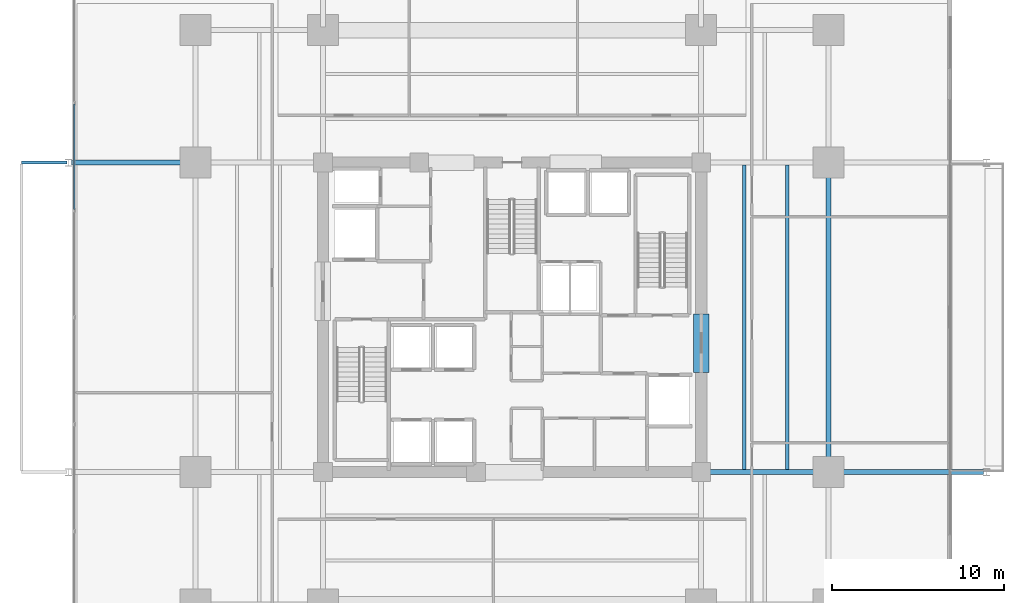
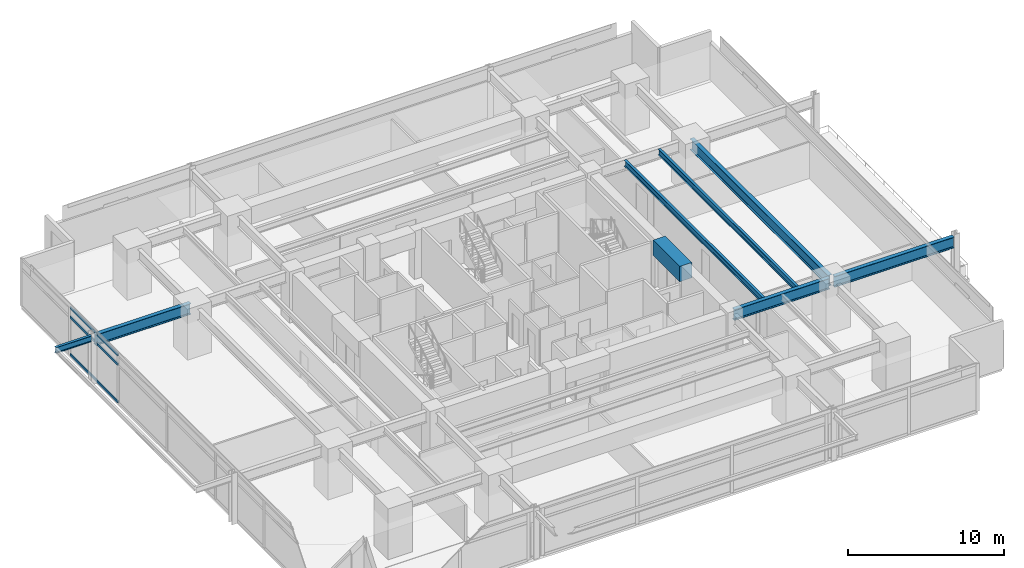
# One storey, part 11 of 21: 8 beams, 3 members, 1 element without a shape of its own.
"""IFC4 building model written with IfcOpenShell, lengths in metres."""

from ifc_helpers import new_model, si_unit, direction, frame, origin, origin_2d, place, context, subcontext, project, spatial, rectangle, hollow_rectangle, i_section, extrude, material, material_profile, profile_set, type_object, element, aggregate, save


model = new_model("IFC4")

# Units and contexts
model_context = context("Model", 3, precision=1e-05, world=origin(), true_north=direction((0.0, 1.0)))
body_context = subcontext(model_context, "Body", "Model", "MODEL_VIEW")
ifc_project = project(units=[si_unit("LENGTHUNIT", "METRE"), si_unit("AREAUNIT", "SQUARE_METRE"), si_unit("VOLUMEUNIT", "CUBIC_METRE"), si_unit("PLANEANGLEUNIT", "RADIAN"), si_unit("MASSUNIT", "GRAM", prefix="KILO")], contexts=[model_context])

# Site, building, storey
site_placement = place(None, origin())
site = spatial("IfcSite", under=ifc_project, at=site_placement, CompositionType="ELEMENT")
building_placement = place(site_placement, origin())
building = spatial("IfcBuilding", under=site, at=building_placement, Name="Kovane Verandah Tower", CompositionType="ELEMENT")
storey_placement = place(building_placement, frame((0.0, 0.0, 47.60009765625)))
storey = spatial("IfcBuildingStorey", under=building, at=storey_placement, Name="L10", CompositionType="ELEMENT", Elevation=47.60009765625)

# Beams
ifc_material_1 = material(Name="Concrete C80/95", Category="concrete")
ifc_material_profile_1 = material_profile(ifc_material_1, rectangle(XDim=0.89990234375, YDim=1.199951171875, at=origin_2d()), Name="RCB900x1200")
ifc_profile_set_1 = profile_set([ifc_material_profile_1], Name="Concrete C80/95")
beam_type_1 = type_object("IfcBeamType", Name="BM-LINTEL-900x1200", PredefinedType="LINTEL", material=ifc_profile_set_1)
beam_1_placement = place(storey_placement, frame((51.0, 24.300048828125, 3.159912109375), z_axis=(0.0, 1.0, 0.0), x_axis=(-1.0, 0.0, 0.0)))
element("IfcBeam", 1, at=beam_1_placement, inside=storey, type_object=beam_type_1, Name="L10 Core Coupling Lintel CL-E", PredefinedType="LINTEL", context=body_context, shape_type="SweptSolid", body=[
    extrude(rectangle(XDim=0.89990234375, YDim=1.199951171875, at=origin_2d()), origin(), (0.0, 0.0, 1.0), 3.39990234375),
])
ifc_material_2 = material(Name="Steel S355", Category="steel")
ifc_material_profile_2 = material_profile(ifc_material_2, i_section(OverallWidth=0.293701171875, OverallDepth=0.850830078125, WebThickness=0.01611328125, FlangeThickness=0.02685546875, FilletRadius=0.017822265625, at=origin_2d()), Name="UB838x292x226")
ifc_profile_set_2 = profile_set([ifc_material_profile_2], Name="Steel S355")
beam_type_2 = type_object("IfcBeamType", Name="BM-UB838x226", PredefinedType="BEAM", material=ifc_profile_set_2)
beam_2_placement = place(storey_placement, frame((58.39990234375, 18.679931640625, 3.33447265625), z_axis=(0.0, 1.0, 0.0), x_axis=(-1.0, 0.0, 0.0)))
element("IfcBeam", 2, at=beam_2_placement, inside=storey, type_object=beam_type_2, Name="L10 Primary Tower Girder G-RE2", PredefinedType="BEAM", context=body_context, shape_type="SweptSolid", body=[
    extrude(i_section(OverallWidth=0.293701171875, OverallDepth=0.850830078125, WebThickness=0.01611328125, FlangeThickness=0.02685546875, FilletRadius=0.017822265625, at=origin_2d()), origin(), (0.0, 0.0, 1.0), 17.64013671875),
])
for number, where, z_axis, x_axis, name in (
    (3, (51.179931640625, 18.5, 3.33447265625), (1.0, 0.0, 0.0), (0.0, 1.0, 0.0), "L10 Primary Tower Girder G-E1"),
    (4, (21.419921875, 36.5, 3.33447265625), (-1.0, 0.0, 0.0), (0.0, -1.0, 0.0), "L10 Primary Tower Girder G-VW2"),
):
    element("IfcBeam", number, at=place(storey_placement, frame(where, z_axis=z_axis, x_axis=x_axis)), inside=storey, type_object=beam_type_2, Name=name, PredefinedType="BEAM", context=body_context, shape_type="SweptSolid", body=[
        extrude(i_section(OverallWidth=0.293701171875, OverallDepth=0.850830078125, WebThickness=0.01611328125, FlangeThickness=0.02685546875, FilletRadius=0.017822265625, at=origin_2d()), origin(), (0.0, 0.0, 1.0), 7.0400390625),
    ])
beam_3_placement = place(storey_placement, frame((58.580078125, 18.5, 3.33447265625), z_axis=(1.0, 0.0, 0.0), x_axis=(0.0, 1.0, 0.0)))
element("IfcBeam", 5, at=beam_3_placement, inside=storey, type_object=beam_type_2, Name="L10 Primary Tower Girder G-VE1", PredefinedType="BEAM", context=body_context, shape_type="SweptSolid", body=[
    extrude(i_section(OverallWidth=0.293701171875, OverallDepth=0.850830078125, WebThickness=0.01611328125, FlangeThickness=0.02685546875, FilletRadius=0.017822265625, at=origin_2d()), origin(), (0.0, 0.0, 1.0), 8.83984375),
])

# Curtain wall, members
ifc_material_3 = material(Name="Champagne Anodised Aluminium Frame with Low-E Clear Laminated Glass", Category="aluminium")
curtain_wall_type = type_object("IfcCurtainWallType", Name="CW-SYS-02-LOW", PredefinedType="NOTDEFINED", material=ifc_material_3)
curtain_wall_placement = place(storey_placement, origin())
curtain_wall = element("IfcCurtainWall", 6, at=curtain_wall_placement, inside=storey, type_object=curtain_wall_type, Name="L10 W Unitised Curtain Wall", PredefinedType="NOTDEFINED")
ifc_material_4 = material(Name="Champagne Anodised Aluminium 6063-T6", Category="aluminium")
ifc_material_profile_3 = material_profile(ifc_material_4, hollow_rectangle(XDim=0.0849609375, YDim=0.18994140625, WallThickness=0.00390625, at=origin_2d()), Name="AL85x190x4")
ifc_profile_set_3 = profile_set([ifc_material_profile_3], Name="Champagne Anodised Aluminium 6063-T6")
member_type = type_object("IfcMemberType", Name="CW-TRN-85x190", PredefinedType="USERDEFINED", material=ifc_profile_set_3)
member_1_placement = place(storey_placement, frame((14.541015625, 39.890869140625, 0.0498046875), z_axis=(0.0, -1.0, 0.0), x_axis=(1.0, 0.0, 0.0)))
member_1 = element("IfcMember", 7, at=member_1_placement, type_object=member_type, Name="L10 W Unitised Curtain Wall Transom TB Bay 2", ObjectType="TRANSOM", PredefinedType="USERDEFINED", context=body_context, shape_type="SweptSolid", body=[
    extrude(hollow_rectangle(XDim=0.0849609375, YDim=0.18994140625, WallThickness=0.00390625, at=origin_2d()), origin(), (0.0, 0.0, 1.0), 6.120361328125),
])
member_2_placement = place(storey_placement, frame((14.541015625, 39.890869140625, 2.97998046875), z_axis=(0.0, -1.0, 0.0), x_axis=(1.0, 0.0, 0.0)))
member_2 = element("IfcMember", 8, at=member_2_placement, type_object=member_type, Name="L10 W Unitised Curtain Wall Transom TM Bay 2", ObjectType="TRANSOM", PredefinedType="USERDEFINED", context=body_context, shape_type="SweptSolid", body=[
    extrude(hollow_rectangle(XDim=0.0849609375, YDim=0.18994140625, WallThickness=0.00390625, at=origin_2d()), origin(), (0.0, 0.0, 1.0), 6.120361328125),
])
member_3_placement = place(storey_placement, frame((14.541015625, 39.890869140625, 3.7099609375), z_axis=(0.0, -1.0, 0.0), x_axis=(1.0, 0.0, 0.0)))
member_3 = element("IfcMember", 9, at=member_3_placement, type_object=member_type, Name="L10 W Unitised Curtain Wall Transom TT Bay 2", ObjectType="TRANSOM", PredefinedType="USERDEFINED", context=body_context, shape_type="SweptSolid", body=[
    extrude(hollow_rectangle(XDim=0.0849609375, YDim=0.18994140625, WallThickness=0.00390625, at=origin_2d()), origin(), (0.0, 0.0, 1.0), 6.120361328125),
])
aggregate(curtain_wall, [member_1, member_2, member_3])

# Beams
ifc_material_profile_4 = material_profile(ifc_material_2, i_section(OverallWidth=0.19287109375, OverallDepth=0.46728515625, WebThickness=0.011474609375, FlangeThickness=0.01953125, FilletRadius=0.01025390625, at=origin_2d()), Name="UB457x191x98")
ifc_profile_set_4 = profile_set([ifc_material_profile_4], Name="Steel S355")
beam_type_3 = type_object("IfcBeamType", Name="JST-UB457x98", PredefinedType="JOIST", material=ifc_profile_set_4)
for number, where, z_axis, x_axis, name in (
    (10, (53.5, 18.64501953125, 3.5263671875), (0.0, 1.0, 0.0), (-1.0, 0.0, 0.0), "L10 Secondary Composite Joist J-E1"),
    (11, (56.0, 18.64501953125, 3.5263671875), (0.0, 1.0, 0.0), (-1.0, 0.0, 0.0), "L10 Secondary Composite Joist J-E2"),
):
    element("IfcBeam", number, at=place(storey_placement, frame(where, z_axis=z_axis, x_axis=x_axis)), inside=storey, type_object=beam_type_3, Name=name, PredefinedType="JOIST", context=body_context, shape_type="SweptSolid", body=[
        extrude(i_section(OverallWidth=0.19287109375, OverallDepth=0.46728515625, WebThickness=0.011474609375, FlangeThickness=0.01953125, FilletRadius=0.01025390625, at=origin_2d()), origin(), (0.0, 0.0, 1.0), 17.7099609375),
    ])
beam_4_placement = place(storey_placement, frame((14.1201171875, 36.5, 3.5263671875), z_axis=(-1.0, 0.0, 0.0), x_axis=(0.0, -1.0, 0.0)))
element("IfcBeam", 12, at=beam_4_placement, inside=storey, type_object=beam_type_3, Name="L10 West Planter Girder 2", PredefinedType="JOIST", context=body_context, shape_type="SweptSolid", body=[
    extrude(i_section(OverallWidth=0.19287109375, OverallDepth=0.46728515625, WebThickness=0.011474609375, FlangeThickness=0.01953125, FilletRadius=0.01025390625, at=origin_2d()), origin(), (0.0, 0.0, 1.0), 2.650390625),
])

save(model, "model.ifc")
